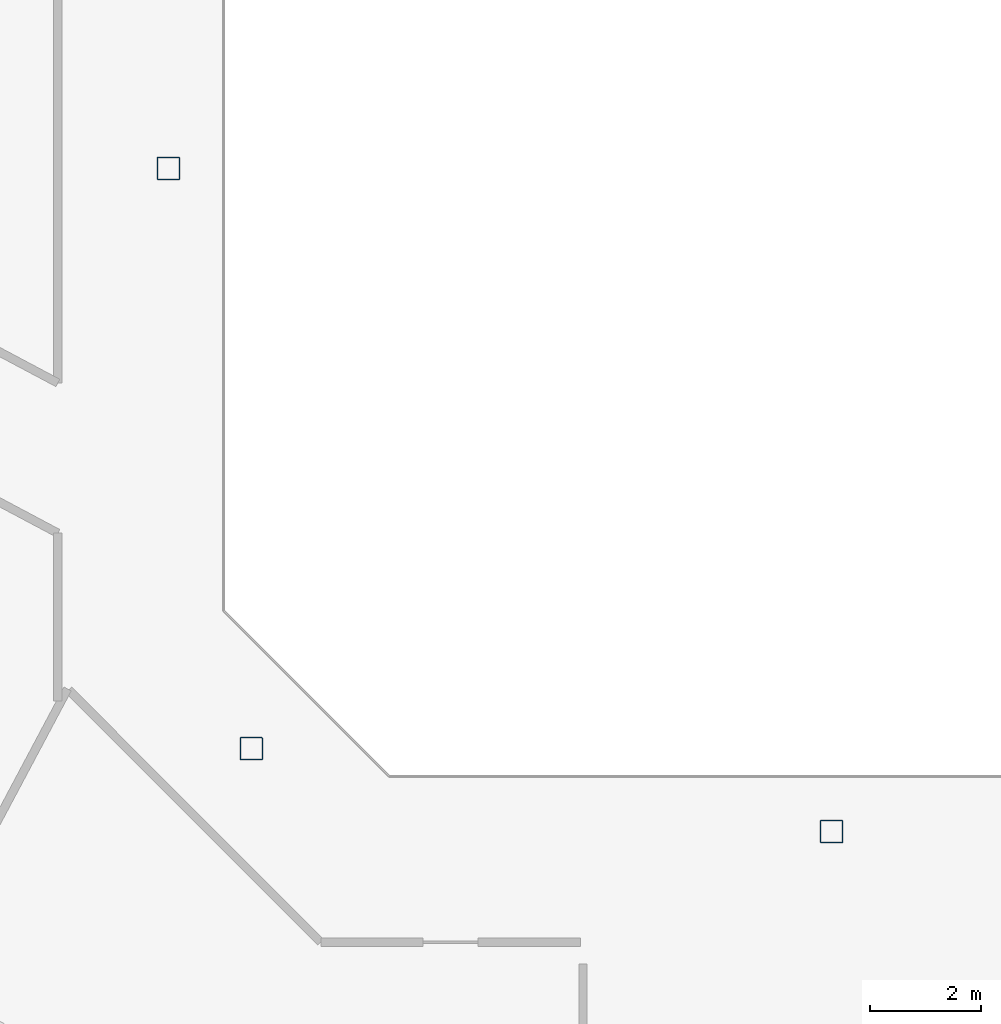
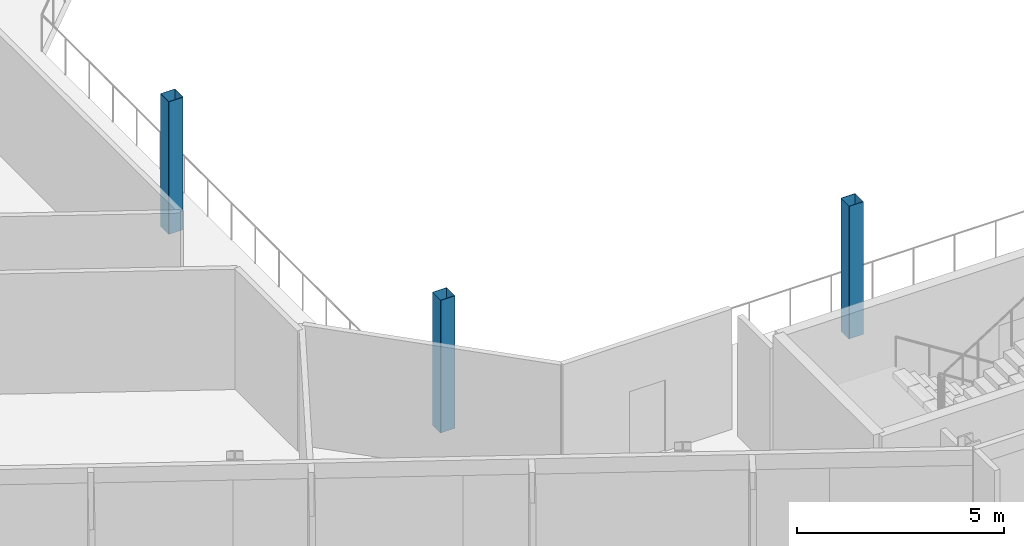
# One storey, part 2 of 26: 3 columns.
"""IFC4 building model written with IfcOpenShell, lengths in metres."""

from ifc_helpers import new_model, si_unit, direction, frame, origin, origin_2d, place, context, subcontext, project, spatial, hollow_rectangle, extrude, material, material_profile, profile_set, type_object, element, save


model = new_model("IFC4")

# Units and contexts
model_context = context("Model", 3, precision=1e-05, world=origin(), true_north=direction((0.0, 1.0)))
body_context = subcontext(model_context, "Body", "Model", "MODEL_VIEW")
ifc_project = project(units=[si_unit("LENGTHUNIT", "METRE"), si_unit("AREAUNIT", "SQUARE_METRE"), si_unit("VOLUMEUNIT", "CUBIC_METRE"), si_unit("PLANEANGLEUNIT", "RADIAN"), si_unit("MASSUNIT", "GRAM", prefix="KILO")], contexts=[model_context])

# Site, building, storey
site_placement = place(None, origin())
site = spatial("IfcSite", under=ifc_project, at=site_placement, CompositionType="ELEMENT")
building_placement = place(site_placement, origin())
building = spatial("IfcBuilding", under=site, at=building_placement, Name="Cormorant Relay Tower", CompositionType="ELEMENT")
storey_placement = place(building_placement, frame((0.0, 0.0, 261.89990234375)))
storey = spatial("IfcBuildingStorey", under=building, at=storey_placement, Name="L58", CompositionType="ELEMENT", Elevation=261.89990234375)

# Columns
ifc_material = material(Name="Steel ASTM A500 Grade C (Fy 345 MPa)", Category="steel")
ifc_material_profile = material_profile(ifc_material, hollow_rectangle(XDim=0.406494140625, YDim=0.406494140625, WallThickness=0.0087890625, InnerFilletRadius=0.00439453125, OuterFilletRadius=0.01318359375, at=origin_2d()), Name="HSS406x406x9")
ifc_profile_set = profile_set([ifc_material_profile], Name="Steel ASTM A500 Grade C (Fy 345 MPa)")
column_type = type_object("IfcColumnType", Name="Column HSS406x406x9", PredefinedType="COLUMN", material=ifc_profile_set)
for number, where, z_axis, x_axis, name in (
    (1, (0.0, -12.0, 0.0), (0.0, 0.0, 1.0), (1.0, 0.0, 0.0), "Column L58-007"),
    (2, (-10.5, -10.5, 0.0), (0.0, 0.0, 1.0), (1.0, 0.0, 0.0), "Column L58-009"),
    (3, (-12.0, 0.0, 0.0), (0.0, 0.0, 1.0), (1.0, 0.0, 0.0), "Column L58-015"),
):
    element("IfcColumn", number, at=place(storey_placement, frame(where, z_axis=z_axis, x_axis=x_axis)), inside=storey, type_object=column_type, Name=name, PredefinedType="COLUMN", context=body_context, shape_type="SweptSolid", body=[
        extrude(hollow_rectangle(XDim=0.406494140625, YDim=0.406494140625, WallThickness=0.0087890625, InnerFilletRadius=0.00439453125, OuterFilletRadius=0.01318359375, at=origin_2d()), origin(), (0.0, 0.0, 1.0), 3.900146484375),
    ])

save(model, "model.ifc")
